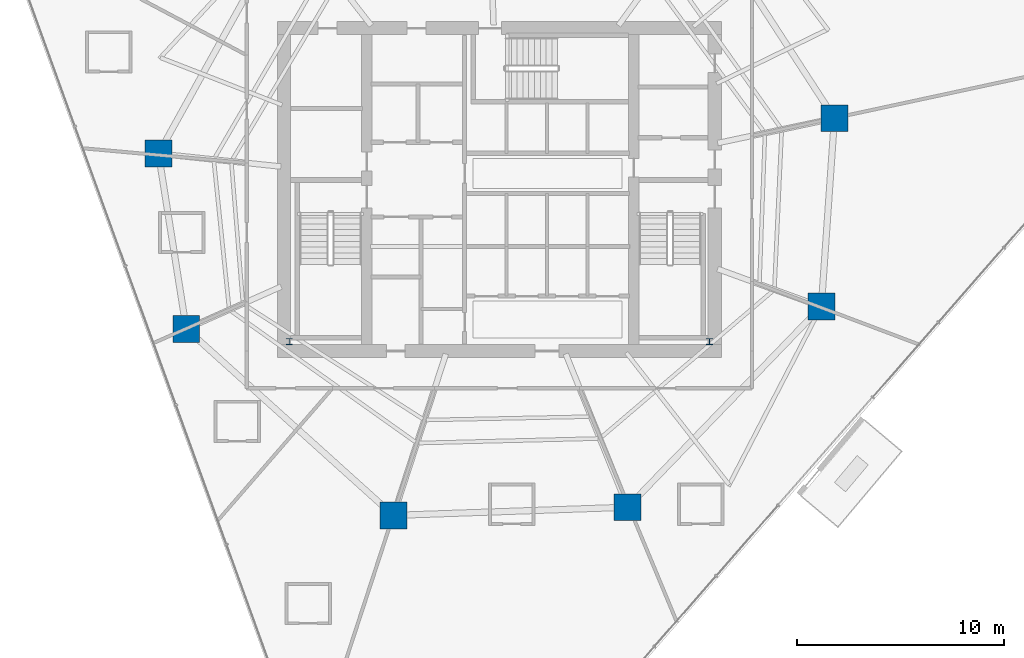
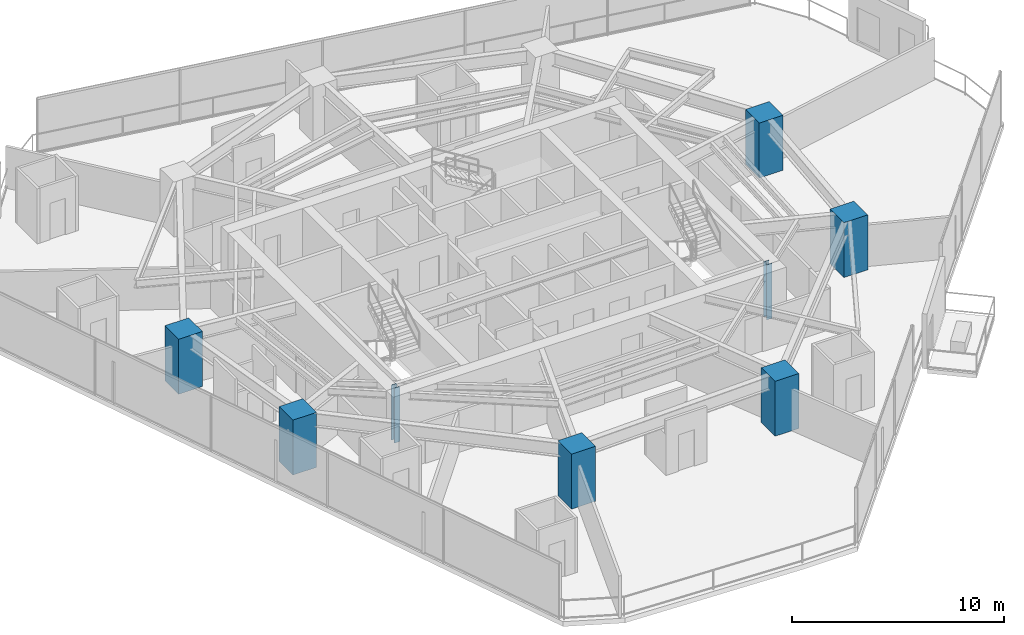
# One storey, part 1 of 33: 8 columns.
"""IFC4 building model written with IfcOpenShell, lengths in metres."""

from ifc_helpers import new_model, si_unit, direction, frame, origin, origin_2d, place, context, subcontext, project, spatial, rectangle, i_section, extrude, material, material_profile, profile_set, type_object, element, save


model = new_model("IFC4")

# Units and contexts
model_context = context("Model", 3, precision=1e-05, world=origin(), true_north=direction((0.0, 1.0)))
body_context = subcontext(model_context, "Body", "Model", "MODEL_VIEW")
ifc_project = project(units=[si_unit("LENGTHUNIT", "METRE"), si_unit("AREAUNIT", "SQUARE_METRE"), si_unit("VOLUMEUNIT", "CUBIC_METRE"), si_unit("PLANEANGLEUNIT", "RADIAN"), si_unit("MASSUNIT", "GRAM", prefix="KILO")], contexts=[model_context])

# Site, building, storey
site_placement = place(None, origin())
site = spatial("IfcSite", under=ifc_project, at=site_placement, CompositionType="ELEMENT")
building_placement = place(site_placement, origin())
building = spatial("IfcBuilding", under=site, at=building_placement, Name="Qarnah Convention Tower", CompositionType="ELEMENT")
storey_placement = place(building_placement, frame((0.0, 0.0, 30.449951171875)))
storey = spatial("IfcBuildingStorey", under=building, at=storey_placement, Name="L06", CompositionType="ELEMENT", Elevation=30.449951171875)

# Columns
ifc_material_1 = material(Name="Concrete C60/75", Category="concrete")
ifc_material_profile_1 = material_profile(ifc_material_1, rectangle(XDim=1.300048828125, YDim=1.300048828125, at=origin_2d()), Name="RC-COL-1300X1300")
ifc_profile_set_1 = profile_set([ifc_material_profile_1], Name="Concrete C60/75")
column_type_1 = type_object("IfcColumnType", Name="COL-Z1-1300", PredefinedType="COLUMN", material=ifc_profile_set_1)
for number, where, z_axis, x_axis, name in (
    (1, (53.387939453125, 29.841064453125, 0.0), (0.0, 0.0, 1.0), (1.0, 0.0, 0.0), "L06 plumb column PC-Z1-01"),
    (2, (20.740966796875, 28.1298828125, 0.0), (0.0, 0.0, 1.0), (1.0, 0.0, 0.0), "L06 plumb column PC-Z1-05"),
    (3, (22.0810546875, 19.6689453125, 0.0), (0.0, 0.0, 1.0), (1.0, 0.0, 0.0), "L06 plumb column PC-Z1-06"),
    (4, (32.0859375, 10.659912109375, 0.0), (0.0, 0.0, 1.0), (1.0, 0.0, 0.0), "L06 plumb column PC-Z1-07"),
    (5, (43.39990234375, 11.054931640625, 0.0), (0.0, 0.0, 1.0), (1.0, 0.0, 0.0), "L06 plumb column PC-Z1-08"),
    (6, (52.751953125, 20.739990234375, 0.0), (0.0, 0.0, 1.0), (1.0, 0.0, 0.0), "L06 plumb column PC-Z1-09"),
):
    element("IfcColumn", number, at=place(storey_placement, frame(where, z_axis=z_axis, x_axis=x_axis)), inside=storey, type_object=column_type_1, Name=name, PredefinedType="COLUMN", context=body_context, shape_type="SweptSolid", body=[
        extrude(rectangle(XDim=1.300048828125, YDim=1.300048828125, at=origin_2d()), origin(), (0.0, 0.0, 1.0), 3.170166015625),
    ])
ifc_material_2 = material(Name="Structural steel S355JR", Category="steel")
ifc_material_profile_2 = material_profile(ifc_material_2, i_section(OverallWidth=0.300048828125, OverallDepth=0.300048828125, WebThickness=0.010986328125, FlangeThickness=0.01904296875, at=origin_2d()), Name="HEB300")
ifc_profile_set_2 = profile_set([ifc_material_profile_2], Name="Structural steel S355JR")
column_type_2 = type_object("IfcColumnType", Name="PIL-SHF-300", PredefinedType="PILASTER", material=ifc_profile_set_2)
for number, where, z_axis, x_axis, name in (
    (7, (27.050048828125, 19.050048828125, 0.0), (0.0, 0.0, 1.0), (1.0, 0.0, 0.0), "L06 core spine steel pilaster 1"),
    (8, (47.35009765625, 19.050048828125, 0.0), (0.0, 0.0, 1.0), (1.0, 0.0, 0.0), "L06 core spine steel pilaster 2"),
):
    element("IfcColumn", number, at=place(storey_placement, frame(where, z_axis=z_axis, x_axis=x_axis)), inside=storey, type_object=column_type_2, Name=name, PredefinedType="PILASTER", context=body_context, shape_type="SweptSolid", body=[
        extrude(i_section(OverallWidth=0.300048828125, OverallDepth=0.300048828125, WebThickness=0.010986328125, FlangeThickness=0.01904296875, at=origin_2d()), origin(), (0.0, 0.0, 1.0), 3.170166015625),
    ])

save(model, "model.ifc")
